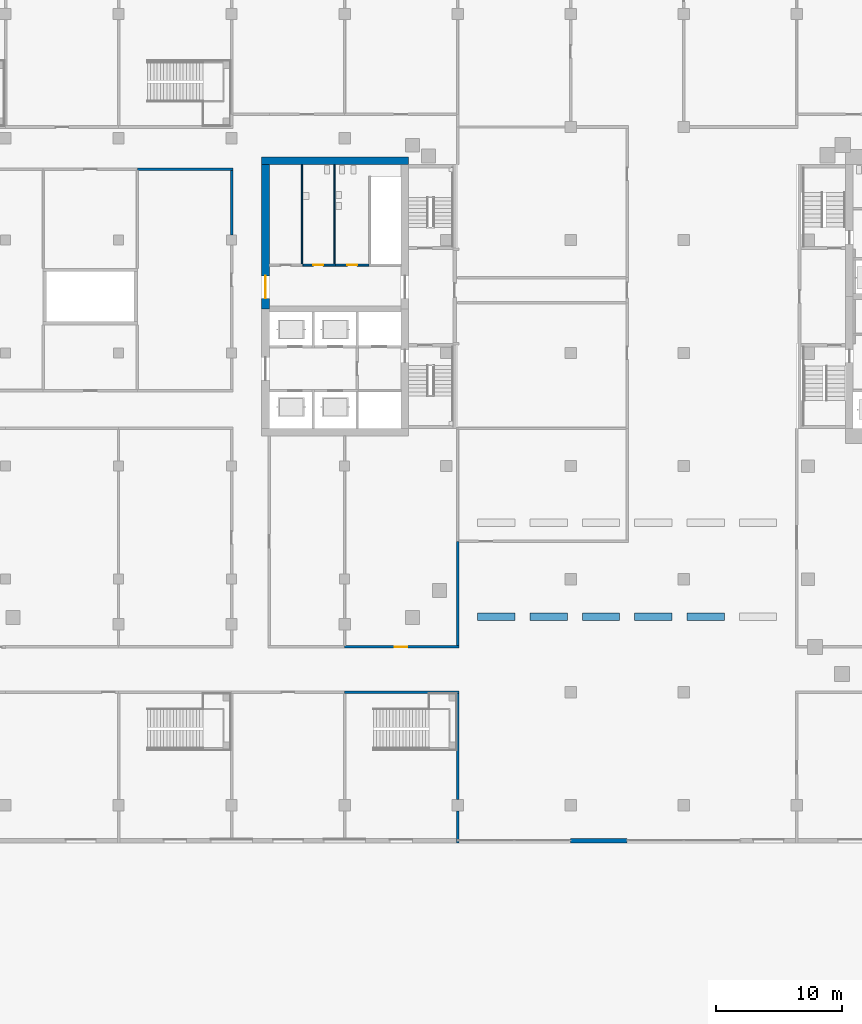
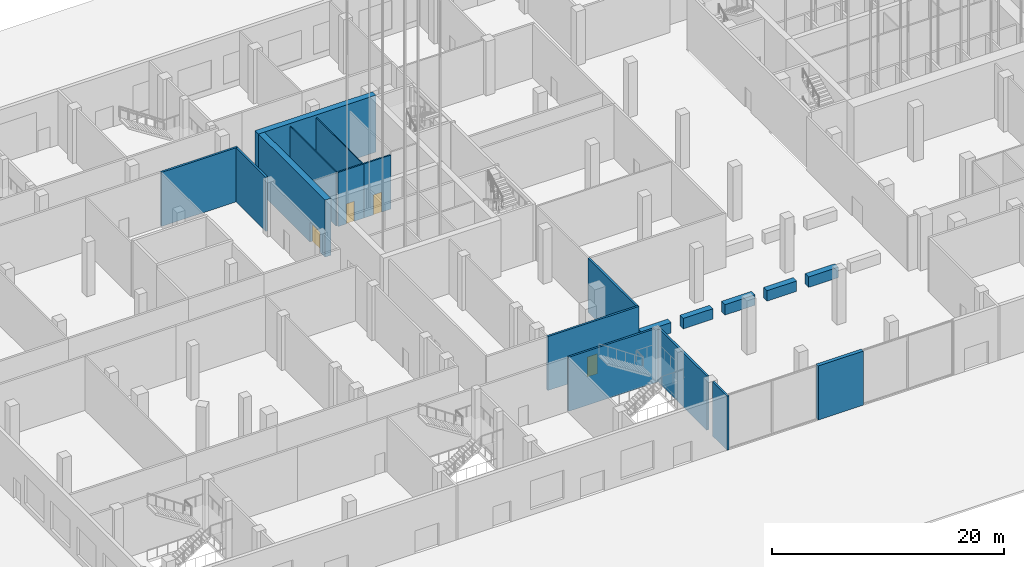
# One storey, part 35 of 55: 19 walls, 4 doors, 4 openings.
"""IFC4 building model written with IfcOpenShell, lengths in metres."""

from ifc_helpers import new_model, si_unit, direction, frame, frame_2d, origin, place, context, subcontext, project, spatial, rectangle, extrude, material, layer, layer_set, type_object, element, fill, save


model = new_model("IFC4")

# Units and contexts
model_context = context("Model", 3, precision=1e-05, world=origin(), true_north=direction((0.0, 1.0)))
body_context = subcontext(model_context, "Body", "Model", "MODEL_VIEW")
ifc_project = project(units=[si_unit("LENGTHUNIT", "METRE"), si_unit("AREAUNIT", "SQUARE_METRE"), si_unit("VOLUMEUNIT", "CUBIC_METRE"), si_unit("PLANEANGLEUNIT", "RADIAN"), si_unit("MASSUNIT", "GRAM", prefix="KILO")], contexts=[model_context])

# Site, building, storey
site_placement = place(None, origin())
site = spatial("IfcSite", under=ifc_project, at=site_placement, CompositionType="ELEMENT")
building_placement = place(site_placement, origin())
building = spatial("IfcBuilding", under=site, at=building_placement, Name="Cinnabar Reach Civic Tower", CompositionType="ELEMENT")
storey_placement = place(building_placement, origin())
storey = spatial("IfcBuildingStorey", under=building, at=storey_placement, Name="L00", CompositionType="ELEMENT", Elevation=0.0)

# Walls
ifc_material_1 = material(Name="Facing brick with insulated backing", Category="masonry")
ifc_layer_1 = layer(ifc_material_1, 0.36)
ifc_layer_set_1 = layer_set([ifc_layer_1], Name="Brick pier and spandrel wall")
wall_type_1 = type_object("IfcWallType", Name="Brick pier and spandrel wall", PredefinedType="STANDARD", material=ifc_layer_set_1)
wall_1_placement = place(storey_placement, frame((-18.0, -11.82, 0.0), z_axis=(0.0, 0.0, 1.0), x_axis=(1.0, 0.0, 0.0)))
element("IfcWall", 1, at=wall_1_placement, inside=storey, type_object=wall_type_1, Name="Brick facade wall", PredefinedType="STANDARD", context=body_context, shape_type="SweptSolid", body=[
    extrude(rectangle(XDim=4.5, YDim=0.36, at=frame_2d((2.25, 0.0))), origin(), (0.0, 0.0, 1.0), 5.7),
])
ifc_material_2 = material(Name="Concrete C70", Category="concrete")
ifc_layer_2 = layer(ifc_material_2, 0.6)
ifc_layer_set_2 = layer_set([ifc_layer_2], Name="Core wall 600 EI 180")
wall_type_2 = type_object("IfcWallType", Name="Core wall 600 EI 180", PredefinedType="SOLIDWALL", material=ifc_layer_set_2)
wall_2_placement = place(storey_placement, frame((-30.9, 42.3, 0.0), z_axis=(0.0, 0.0, 1.0), x_axis=(-1.0, 0.0, 0.0)))
element("IfcWall", 2, at=wall_2_placement, inside=storey, type_object=wall_type_2, Name="Core wall T2 L00 N", PredefinedType="SOLIDWALL", context=body_context, shape_type="SweptSolid", body=[
    extrude(rectangle(XDim=11.7, YDim=0.6, at=frame_2d((5.85, 0.0))), origin(), (0.0, 0.0, 1.0), 6.0),
])

# Wall, opening, door
wall_3_placement = place(storey_placement, frame((-42.3, 42.0, 0.0), z_axis=(0.0, 0.0, 1.0), x_axis=(0.0, -1.0, 0.0)))
wall_3 = element("IfcWall", 3, at=wall_3_placement, inside=storey, type_object=wall_type_2, Name="Core wall T2 L00 W", PredefinedType="SOLIDWALL", context=body_context, shape_type="SweptSolid", body=[
    extrude(rectangle(XDim=11.5, YDim=0.6, at=frame_2d((5.75, 0.0))), origin(), (0.0, 0.0, 1.0), 6.0),
])
opening_1_placement = place(wall_3_placement, frame((8.85, 0.0, 0.0)))
opening_1 = element("IfcOpeningElement", 4, at=opening_1_placement, cuts=wall_3, Name="Opening D6029", PredefinedType="OPENING", context=body_context, shape_type="SweptSolid", body=[
    extrude(rectangle(XDim=1.8, YDim=2.1, at=frame_2d((0.9, 1.05))), frame((0.0, 0.31, 0.0), z_axis=(0.0, -1.0, 0.0), x_axis=(1.0, 0.0, 0.0)), (0.0, 0.0, 1.0), 0.62),
])
ifc_material_3 = material(Name="Steel fire door", Category="steel")
door_type_1 = type_object("IfcDoorType", Name="T2 Double door 1800", OperationType="DOUBLE_DOOR_SINGLE_SWING", PredefinedType="DOOR", material=ifc_material_3)
door_1_placement = place(opening_1_placement, frame((1.8, 0.0, 0.0), z_axis=(0.0, 0.0, 1.0), x_axis=(-1.0, 0.0, 0.0)))
door_1 = element("IfcDoor", 5, at=door_1_placement, inside=storey, type_object=door_type_1, Name="T2 Double door D6029", OperationType="DOUBLE_DOOR_SINGLE_SWING", OverallHeight=2.1, OverallWidth=1.8, PredefinedType="DOOR", context=body_context, shape_type="SweptSolid", body=[
    extrude(rectangle(XDim=1.8, YDim=2.1, at=frame_2d((0.9, 1.05))), frame((0.0, 0.025, 0.0), z_axis=(0.0, -1.0, 0.0), x_axis=(1.0, 0.0, 0.0)), (0.0, 0.0, 1.0), 0.05),
])
fill(opening_1, door_1)

# Wall
ifc_material_4 = material(Name="Concrete blockwork", Category="masonry")
ifc_layer_3 = layer(ifc_material_4, 0.2)
ifc_layer_set_3 = layer_set([ifc_layer_3], Name="Podium masonry corridor wall 200 EI 120")
wall_type_3 = type_object("IfcWallType", Name="Podium masonry corridor wall 200 EI 120", PredefinedType="PARTITIONING", material=ifc_layer_set_3)
wall_4_placement = place(storey_placement, frame((-27.0, 3.7, 0.0), z_axis=(0.0, 0.0, 1.0), x_axis=(0.0, 1.0, 0.0)))
element("IfcWall", 6, at=wall_4_placement, inside=storey, type_object=wall_type_3, Name="Wall L00 56", PredefinedType="PARTITIONING", context=body_context, shape_type="SweptSolid", body=[
    extrude(rectangle(XDim=8.3, YDim=0.2, at=frame_2d((4.15, 0.0))), origin(), (0.0, 0.0, 1.0), 5.7),
])

# Wall, opening, door
wall_5_placement = place(storey_placement, frame((-36.0, 3.6, 0.0), z_axis=(0.0, 0.0, 1.0), x_axis=(1.0, 0.0, 0.0)))
wall_5 = element("IfcWall", 7, at=wall_5_placement, inside=storey, type_object=wall_type_3, Name="Wall L00 85", PredefinedType="PARTITIONING", context=body_context, shape_type="SweptSolid", body=[
    extrude(rectangle(XDim=9.1, YDim=0.2, at=frame_2d((4.55, 0.0))), origin(), (0.0, 0.0, 1.0), 5.7),
])
opening_2_placement = place(wall_5_placement, frame((4.0, 0.0, 0.0)))
opening_2 = element("IfcOpeningElement", 8, at=opening_2_placement, cuts=wall_5, Name="Opening D1016", PredefinedType="OPENING", context=body_context, shape_type="SweptSolid", body=[
    extrude(rectangle(XDim=1.0, YDim=2.1, at=frame_2d((0.5, 1.05))), frame((0.0, 0.11, 0.0), z_axis=(0.0, -1.0, 0.0), x_axis=(1.0, 0.0, 0.0)), (0.0, 0.0, 1.0), 0.22),
])
ifc_material_5 = material(Name="Painted steel door leaf", Category="steel")
door_type_2 = type_object("IfcDoorType", Name="Podium single door 1000x2100", OperationType="SINGLE_SWING_LEFT", PredefinedType="DOOR", material=ifc_material_5)
door_2_placement = place(opening_2_placement, origin())
door_2 = element("IfcDoor", 9, at=door_2_placement, inside=storey, type_object=door_type_2, Name="Door D1016", OperationType="SINGLE_SWING_RIGHT", OverallHeight=2.1, OverallWidth=1.0, PredefinedType="DOOR", context=body_context, shape_type="SweptSolid", body=[
    extrude(rectangle(XDim=1.0, YDim=2.1, at=frame_2d((0.5, 1.05))), frame((0.0, 0.025, 0.0), z_axis=(0.0, -1.0, 0.0), x_axis=(1.0, 0.0, 0.0)), (0.0, 0.0, 1.0), 0.05),
])
fill(opening_2, door_2)

# Walls
wall_6_placement = place(storey_placement, frame((-45.0, 36.42, 0.0), z_axis=(0.0, 0.0, 1.0), x_axis=(0.0, 1.0, 0.0)))
element("IfcWall", 10, at=wall_6_placement, inside=storey, type_object=wall_type_3, Name="Wall L00 108", PredefinedType="PARTITIONING", context=body_context, shape_type="SweptSolid", body=[
    extrude(rectangle(XDim=5.13, YDim=0.2, at=frame_2d((2.565, 0.0))), origin(), (0.0, 0.0, 1.0), 5.7),
])
wall_7_placement = place(storey_placement, frame((-52.5, 41.65, 0.0), z_axis=(0.0, 0.0, 1.0), x_axis=(1.0, 0.0, 0.0)))
element("IfcWall", 11, at=wall_7_placement, inside=storey, type_object=wall_type_3, Name="Wall L00 120", PredefinedType="PARTITIONING", context=body_context, shape_type="SweptSolid", body=[
    extrude(rectangle(XDim=7.6, YDim=0.2, at=frame_2d((3.8, 0.0))), origin(), (0.0, 0.0, 1.0), 5.7),
])
ifc_material_6 = material(Name="Timber veneer on steel frame", Category="steel")
ifc_layer_4 = layer(ifc_material_6, 0.6)
ifc_layer_set_4 = layer_set([ifc_layer_4], Name="Podium service counter 600")
wall_type_4 = type_object("IfcWallType", Name="Podium service counter 600", PredefinedType="MOVABLE", material=ifc_layer_set_4)
wall_8_placement = place(storey_placement, frame((-25.4, 6.0, 0.0), z_axis=(0.0, 0.0, 1.0), x_axis=(1.0, 0.0, 0.0)))
element("IfcWall", 12, at=wall_8_placement, inside=storey, type_object=wall_type_4, Name="Service counter A1", PredefinedType="MOVABLE", context=body_context, shape_type="SweptSolid", body=[
    extrude(rectangle(XDim=2.9667, YDim=0.6, at=frame_2d((1.4833, 0.0))), origin(), (0.0, 0.0, 1.0), 1.1),
])
wall_9_placement = place(storey_placement, frame((-21.2333, 6.0, 0.0), z_axis=(0.0, 0.0, 1.0), x_axis=(1.0, 0.0, 0.0)))
element("IfcWall", 13, at=wall_9_placement, inside=storey, type_object=wall_type_4, Name="Service counter A2", PredefinedType="MOVABLE", context=body_context, shape_type="SweptSolid", body=[
    extrude(rectangle(XDim=2.9666, YDim=0.6, at=frame_2d((1.4833, 0.0))), origin(), (0.0, 0.0, 1.0), 1.1),
])
for number, where, z_axis, x_axis, name in (
    (14, (-17.0667, 6.0, 0.0), (0.0, 0.0, 1.0), (1.0, 0.0, 0.0), "Service counter A3"),
    (15, (-12.9, 6.0, 0.0), (0.0, 0.0, 1.0), (1.0, 0.0, 0.0), "Service counter A4"),
):
    element("IfcWall", number, at=place(storey_placement, frame(where, z_axis=z_axis, x_axis=x_axis)), inside=storey, type_object=wall_type_4, Name=name, PredefinedType="MOVABLE", context=body_context, shape_type="SweptSolid", body=[
        extrude(rectangle(XDim=2.9667, YDim=0.6, at=frame_2d((1.4833, 0.0))), origin(), (0.0, 0.0, 1.0), 1.1),
    ])
wall_10_placement = place(storey_placement, frame((-8.7333, 6.0, 0.0), z_axis=(0.0, 0.0, 1.0), x_axis=(1.0, 0.0, 0.0)))
element("IfcWall", 16, at=wall_10_placement, inside=storey, type_object=wall_type_4, Name="Service counter A5", PredefinedType="MOVABLE", context=body_context, shape_type="SweptSolid", body=[
    extrude(rectangle(XDim=2.9666, YDim=0.6, at=frame_2d((1.4833, 0.0))), origin(), (0.0, 0.0, 1.0), 1.1),
])
ifc_material_7 = material(Name="Concrete C40", Category="concrete")
ifc_layer_5 = layer(ifc_material_7, 0.2)
ifc_layer_set_5 = layer_set([ifc_layer_5], Name="Podium stair shaft wall 200 EI 120")
wall_type_5 = type_object("IfcWallType", Name="Podium stair shaft wall 200 EI 120", PredefinedType="SOLIDWALL", material=ifc_layer_set_5)
wall_11_placement = place(storey_placement, frame((-27.0, -12.0, 0.0), z_axis=(0.0, 0.0, 1.0), x_axis=(0.0, 1.0, 0.0)))
element("IfcWall", 17, at=wall_11_placement, inside=storey, type_object=wall_type_5, Name="Wall L00 42", PredefinedType="SOLIDWALL", context=body_context, shape_type="SweptSolid", body=[
    extrude(rectangle(XDim=2.53, YDim=0.2, at=frame_2d((1.265, 0.0))), origin(), (0.0, 0.0, 1.0), 5.7),
])
wall_12_placement = place(storey_placement, frame((-27.0, -8.53, 0.0), z_axis=(0.0, 0.0, 1.0), x_axis=(0.0, 1.0, 0.0)))
element("IfcWall", 18, at=wall_12_placement, inside=storey, type_object=wall_type_5, Name="Wall L00 43", PredefinedType="SOLIDWALL", context=body_context, shape_type="SweptSolid", body=[
    extrude(rectangle(XDim=8.43, YDim=0.2, at=frame_2d((4.215, 0.0))), origin(), (0.0, 0.0, 1.0), 5.7),
])
wall_13_placement = place(storey_placement, frame((-36.0, 0.0, 0.0), z_axis=(0.0, 0.0, 1.0), x_axis=(1.0, 0.0, 0.0)))
element("IfcWall", 19, at=wall_13_placement, inside=storey, type_object=wall_type_5, Name="Wall L00 44", PredefinedType="SOLIDWALL", context=body_context, shape_type="SweptSolid", body=[
    extrude(rectangle(XDim=9.1, YDim=0.2, at=frame_2d((4.55, 0.0))), origin(), (0.0, 0.0, 1.0), 5.7),
])

# Wall, opening, door
ifc_material_8 = material(Name="Masonry block partition", Category="masonry")
ifc_layer_6 = layer(ifc_material_8, 0.15)
ifc_layer_set_6 = layer_set([ifc_layer_6], Name="T2 Corridor wall 150")
wall_type_6 = type_object("IfcWallType", Name="T2 Corridor wall 150", PredefinedType="PARTITIONING", material=ifc_layer_set_6)
wall_14_placement = place(storey_placement, frame((-36.725, 34.0, 0.0), z_axis=(0.0, 0.0, 1.0), x_axis=(-1.0, 0.0, 0.0)))
wall_14 = element("IfcWall", 20, at=wall_14_placement, inside=storey, type_object=wall_type_6, Name="T2 Corridor wall L00 017", PredefinedType="PARTITIONING", context=body_context, shape_type="SweptSolid", body=[
    extrude(rectangle(XDim=2.6, YDim=0.15, at=frame_2d((1.3, 0.0))), origin(), (0.0, 0.0, 1.0), 5.7),
])
opening_3_placement = place(wall_14_placement, frame((0.975, 0.0, 0.0)))
opening_3 = element("IfcOpeningElement", 21, at=opening_3_placement, cuts=wall_14, Name="Opening D6031", PredefinedType="OPENING", context=body_context, shape_type="SweptSolid", body=[
    extrude(rectangle(XDim=0.8, YDim=2.1, at=frame_2d((0.4, 1.05))), frame((0.0, 0.085, 0.0), z_axis=(0.0, -1.0, 0.0), x_axis=(1.0, 0.0, 0.0)), (0.0, 0.0, 1.0), 0.17),
])
ifc_material_9 = material(Name="Timber door leaf", Category="wood")
door_type_3 = type_object("IfcDoorType", Name="T2 Bathroom door 800", OperationType="SINGLE_SWING_LEFT", PredefinedType="DOOR", material=ifc_material_9)
door_3_placement = place(opening_3_placement, frame((0.8, 0.0, 0.0), z_axis=(0.0, 0.0, 1.0), x_axis=(-1.0, 0.0, 0.0)))
door_3 = element("IfcDoor", 22, at=door_3_placement, inside=storey, type_object=door_type_3, Name="T2 Bathroom door D6031", OperationType="SINGLE_SWING_RIGHT", OverallHeight=2.1, OverallWidth=0.8, PredefinedType="DOOR", context=body_context, shape_type="SweptSolid", body=[
    extrude(rectangle(XDim=0.8, YDim=2.1, at=frame_2d((0.4, 1.05))), frame((0.0, 0.025, 0.0), z_axis=(0.0, -1.0, 0.0), x_axis=(1.0, 0.0, 0.0)), (0.0, 0.0, 1.0), 0.05),
])
fill(opening_3, door_3)

wall_15_placement = place(storey_placement, frame((-34.075, 34.0, 0.0), z_axis=(0.0, 0.0, 1.0), x_axis=(-1.0, 0.0, 0.0)))
wall_15 = element("IfcWall", 23, at=wall_15_placement, inside=storey, type_object=wall_type_6, Name="T2 Corridor wall L00 018", PredefinedType="PARTITIONING", context=body_context, shape_type="SweptSolid", body=[
    extrude(rectangle(XDim=2.65, YDim=0.15, at=frame_2d((1.325, 0.0))), origin(), (0.0, 0.0, 1.0), 5.7),
])
opening_4_placement = place(wall_15_placement, frame((0.925, 0.0, 0.0)))
opening_4 = element("IfcOpeningElement", 24, at=opening_4_placement, cuts=wall_15, Name="Opening D6032", PredefinedType="OPENING", context=body_context, shape_type="SweptSolid", body=[
    extrude(rectangle(XDim=0.8, YDim=2.1, at=frame_2d((0.4, 1.05))), frame((0.0, 0.085, 0.0), z_axis=(0.0, -1.0, 0.0), x_axis=(1.0, 0.0, 0.0)), (0.0, 0.0, 1.0), 0.17),
])
door_4_placement = place(opening_4_placement, frame((0.8, 0.0, 0.0), z_axis=(0.0, 0.0, 1.0), x_axis=(-1.0, 0.0, 0.0)))
door_4 = element("IfcDoor", 25, at=door_4_placement, inside=storey, type_object=door_type_3, Name="T2 Bathroom door D6032", OperationType="SINGLE_SWING_LEFT", OverallHeight=2.1, OverallWidth=0.8, PredefinedType="DOOR", context=body_context, shape_type="SweptSolid", body=[
    extrude(rectangle(XDim=0.8, YDim=2.1, at=frame_2d((0.4, 1.05))), frame((0.0, 0.025, 0.0), z_axis=(0.0, -1.0, 0.0), x_axis=(1.0, 0.0, 0.0)), (0.0, 0.0, 1.0), 0.05),
])
fill(opening_4, door_4)

# Walls
ifc_material_10 = material(Name="Gypsum board partition")
ifc_layer_7 = layer(ifc_material_10, 0.1)
ifc_layer_set_7 = layer_set([ifc_layer_7], Name="T2 Internal partition 100")
wall_type_7 = type_object("IfcWallType", Name="T2 Internal partition 100", PredefinedType="PARTITIONING", material=ifc_layer_set_7)
for number, where, z_axis, x_axis, name in (
    (26, (-39.4, 34.075, 0.0), (0.0, 0.0, 1.0), (0.0, 1.0, 0.0), "T2 Internal partition L00 019"),
    (27, (-36.8, 34.075, 0.0), (0.0, 0.0, 1.0), (0.0, 1.0, 0.0), "T2 Internal partition L00 020"),
):
    element("IfcWall", number, at=place(storey_placement, frame(where, z_axis=z_axis, x_axis=x_axis)), inside=storey, type_object=wall_type_7, Name=name, PredefinedType="PARTITIONING", context=body_context, shape_type="SweptSolid", body=[
        extrude(rectangle(XDim=7.925, YDim=0.1, at=frame_2d((3.9625, 0.0))), origin(), (0.0, 0.0, 1.0), 5.7),
    ])

save(model, "model.ifc")
